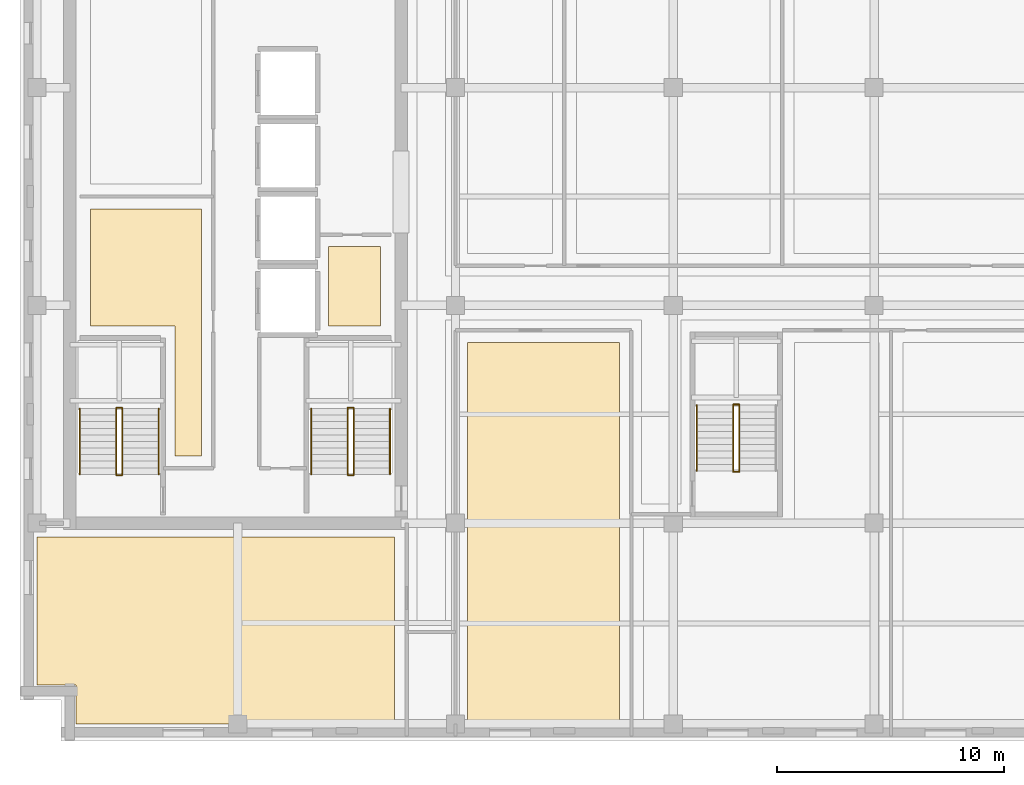
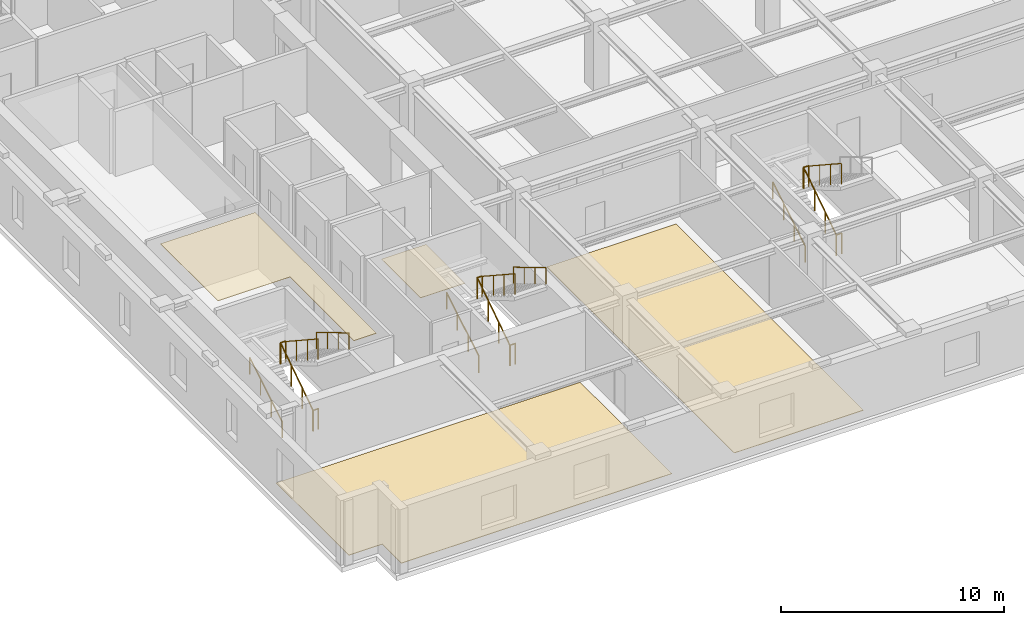
# One storey, part 7 of 10: 17 railings, 4 coverings.
"""IFC4 building model written with IfcOpenShell, lengths in metres."""

from ifc_helpers import new_model, si_unit, direction, frame, origin, origin_2d, place, context, subcontext, project, spatial, polyline, circle, outline, extrude, material, layer, layer_set, type_object, element, save


model = new_model("IFC4")

# Units and contexts
model_context = context("Model", 3, precision=1e-05, world=origin(), true_north=direction((0.0, 1.0)))
body_context = subcontext(model_context, "Body", "Model", "MODEL_VIEW")
ifc_project = project(units=[si_unit("LENGTHUNIT", "METRE"), si_unit("AREAUNIT", "SQUARE_METRE"), si_unit("VOLUMEUNIT", "CUBIC_METRE"), si_unit("PLANEANGLEUNIT", "RADIAN"), si_unit("MASSUNIT", "GRAM", prefix="KILO")], contexts=[model_context])

# Site, building, storey
site_placement = place(None, origin())
site = spatial("IfcSite", under=ifc_project, at=site_placement, CompositionType="ELEMENT")
building_placement = place(site_placement, origin())
building = spatial("IfcBuilding", under=site, at=building_placement, Name="Norrvale University Quadrangle", CompositionType="ELEMENT")
storey_placement = place(building_placement, frame((0.0, 0.0, 229.39990234375)))
storey = spatial("IfcBuildingStorey", under=building, at=storey_placement, Name="L58", CompositionType="ELEMENT", Elevation=229.39990234375)

# Coverings
ifc_material_1 = material(Name="Perforated Acoustic Mineral Ceiling")
ifc_layer_1 = layer(ifc_material_1, 0.02490234375, Name="Perforated Acoustic Mineral Ceiling")
ifc_layer_set_1 = layer_set([ifc_layer_1], Name="Perforated Acoustic Mineral Ceiling")
covering_type_1 = type_object("IfcCoveringType", Name="Covering Acoustic Ceiling 25", PredefinedType="CEILING", material=ifc_layer_set_1)
covering_1_placement = place(storey_placement, frame((0.0, 0.0, 3.51513671875)))
element("IfcCovering", 1, at=covering_1_placement, inside=storey, type_object=covering_type_1, Name="Acoustic Ceiling RM-L58-REC1", PredefinedType="CEILING", context=body_context, shape_type="SweptSolid", body=[
    extrude(outline(polyline([(3.10009765625, 18.300048828125), (3.10009765625, 23.449951171875), (8.0, 23.449951171875), (8.0, 12.550048828125), (6.830078125, 12.550048828125), (6.830078125, 18.300048828125), (3.10009765625, 18.300048828125)])), origin(), (0.0, 0.0, 1.0), 0.02490234375),
])
ifc_material_2 = material(Name="Polished Terrazzo Flooring")
ifc_layer_2 = layer(ifc_material_2, 0.02490234375, Name="Polished Terrazzo Flooring")
ifc_layer_set_2 = layer_set([ifc_layer_2], Name="Polished Terrazzo Flooring")
covering_type_2 = type_object("IfcCoveringType", Name="Covering Terrazzo Floor 30", PredefinedType="FLOORING", material=ifc_layer_set_2)
covering_2_placement = place(storey_placement, origin())
element("IfcCovering", 2, at=covering_2_placement, inside=storey, type_object=covering_type_2, Name="Terrazzo Flooring RM-L58-JAN", PredefinedType="FLOORING", context=body_context, shape_type="SweptSolid", body=[
    extrude(outline(polyline([(13.60009765625, 18.300048828125), (13.60009765625, 21.800048828125), (15.89990234375, 21.800048828125), (15.89990234375, 18.300048828125), (13.60009765625, 18.300048828125)])), origin(), (0.0, 0.0, 1.0), 0.025146484375),
])
covering_3_placement = place(storey_placement, origin())
element("IfcCovering", 3, at=covering_3_placement, inside=storey, type_object=covering_type_2, Name="Terrazzo Flooring RM-L58-SW1", PredefinedType="FLOORING", context=body_context, shape_type="SweptSolid", body=[
    extrude(outline(polyline([(0.75, 9.0), (16.5, 9.0), (16.5, 0.75), (2.469970703125, 0.75), (2.469970703125, 2.469970703125), (0.75, 2.469970703125), (0.75, 9.0)])), origin(), (0.0, 0.0, 1.0), 0.025146484375),
])
covering_4_placement = place(storey_placement, origin())
element("IfcCovering", 4, at=covering_4_placement, inside=storey, type_object=covering_type_2, Name="Terrazzo Flooring RM-L58-SE1", PredefinedType="FLOORING", context=body_context, shape_type="SweptSolid", body=[
    extrude(outline(polyline([(19.72998046875, 17.570068359375), (26.419921875, 17.570068359375), (26.419921875, 0.75), (19.72998046875, 0.75), (19.72998046875, 17.570068359375)])), origin(), (0.0, 0.0, 1.0), 0.025146484375),
])

# Railings
ifc_material_3 = material(Name="Steel 350W Painted Balustrade", Category="steel")
railing_type_1 = type_object("IfcRailingType", Name="Railing Stair Guard 1100", PredefinedType="GUARDRAIL", material=ifc_material_3)
for number, where, name in (
    (5, (4.239990234375, 11.719970703125, 0.0), "Stair Floor Well Guard ST-01 L58"),
    (6, (4.239990234375, 14.679931640625, 1.900146484375), "Stair Mid-Landing Slot Guard ST-01 L58"),
):
    element("IfcRailing", number, at=place(storey_placement, frame(where)), inside=storey, type_object=railing_type_1, Name=name, PredefinedType="GUARDRAIL", context=body_context, shape_type="SweptSolid", body=[
        extrude(circle(Radius=0.02392578125, at=origin_2d()), frame((0.0, 0.0, 1.1259765625), z_axis=(1.0, 0.0, 0.0), x_axis=(0.0, 1.0, 0.0)), (0.0, 0.0, 1.0), 0.27001953125),
        extrude(circle(Radius=0.02099609375, at=origin_2d()), origin(), (0.0, 0.0, 1.0), 1.101806640625),
        extrude(circle(Radius=0.02099609375, at=origin_2d()), frame((0.27001953125, 0.0, 0.0)), (0.0, 0.0, 1.0), 1.101806640625),
    ])
railing_1_placement = place(storey_placement, frame((4.239990234375, 11.75, 0.0)))
element("IfcRailing", 7, at=railing_1_placement, inside=storey, type_object=railing_type_1, Name="Stair Lower Flight Inner Guard ST-01 L58", PredefinedType="GUARDRAIL", context=body_context, shape_type="SweptSolid", body=[
    extrude(circle(Radius=0.02392578125, at=origin_2d()), frame((0.0, 0.0, 1.1259765625), z_axis=(0.0, 0.836433300813, 0.548068730445), x_axis=(-1.0, 0.0, 0.0)), (0.0, 0.0, 1.0), 3.467041015625),
    extrude(circle(Radius=0.02099609375, at=origin_2d()), origin(), (0.0, 0.0, 1.0), 1.101806640625),
    extrude(circle(Radius=0.02099609375, at=origin_2d()), frame((0.0, 0.966552734375, 0.63330078125)), (0.0, 0.0, 1.0), 1.101806640625),
    extrude(circle(Radius=0.02099609375, at=origin_2d()), frame((0.0, 1.933349609375, 1.266845703125)), (0.0, 0.0, 1.0), 1.101806640625),
    extrude(circle(Radius=0.02099609375, at=origin_2d()), frame((0.0, 2.89990234375, 1.900146484375)), (0.0, 0.0, 1.0), 1.101806640625),
])
railing_2_placement = place(storey_placement, frame((4.510009765625, 14.64990234375, 1.900146484375)))
element("IfcRailing", 8, at=railing_2_placement, inside=storey, type_object=railing_type_1, Name="Stair Upper Flight Inner Guard ST-01 L58", PredefinedType="GUARDRAIL", context=body_context, shape_type="SweptSolid", body=[
    extrude(circle(Radius=0.02392578125, at=origin_2d()), frame((0.0, 0.0, 1.1259765625), z_axis=(0.0, -0.836465582154, 0.548019461216), x_axis=(1.0, 0.0, 0.0)), (0.0, 0.0, 1.0), 3.466796875),
    extrude(circle(Radius=0.02099609375, at=origin_2d()), origin(), (0.0, 0.0, 1.0), 1.101806640625),
    extrude(circle(Radius=0.02099609375, at=origin_2d()), frame((0.0, -0.966552734375, 0.63330078125)), (0.0, 0.0, 1.0), 1.101806640625),
    extrude(circle(Radius=0.02099609375, at=origin_2d()), frame((0.0, -1.933349609375, 1.2666015625)), (0.0, 0.0, 1.0), 1.101806640625),
    extrude(circle(Radius=0.02099609375, at=origin_2d()), frame((0.0, -2.89990234375, 1.89990234375)), (0.0, 0.0, 1.0), 1.101806640625),
])
for number, where, name in (
    (9, (14.43994140625, 11.719970703125, 0.0), "Stair Floor Well Guard ST-03 L58"),
    (10, (14.43994140625, 14.679931640625, 1.900146484375), "Stair Mid-Landing Slot Guard ST-03 L58"),
):
    element("IfcRailing", number, at=place(storey_placement, frame(where)), inside=storey, type_object=railing_type_1, Name=name, PredefinedType="GUARDRAIL", context=body_context, shape_type="SweptSolid", body=[
        extrude(circle(Radius=0.02392578125, at=origin_2d()), frame((0.0, 0.0, 1.1259765625), z_axis=(1.0, 0.0, 0.0), x_axis=(0.0, 1.0, 0.0)), (0.0, 0.0, 1.0), 0.27001953125),
        extrude(circle(Radius=0.02099609375, at=origin_2d()), origin(), (0.0, 0.0, 1.0), 1.101806640625),
        extrude(circle(Radius=0.02099609375, at=origin_2d()), frame((0.27001953125, 0.0, 0.0)), (0.0, 0.0, 1.0), 1.101806640625),
    ])
railing_3_placement = place(storey_placement, frame((14.43994140625, 11.75, 0.0)))
element("IfcRailing", 11, at=railing_3_placement, inside=storey, type_object=railing_type_1, Name="Stair Lower Flight Inner Guard ST-03 L58", PredefinedType="GUARDRAIL", context=body_context, shape_type="SweptSolid", body=[
    extrude(circle(Radius=0.02392578125, at=origin_2d()), frame((0.0, 0.0, 1.1259765625), z_axis=(0.0, 0.836433300813, 0.548068730445), x_axis=(-1.0, 0.0, 0.0)), (0.0, 0.0, 1.0), 3.467041015625),
    extrude(circle(Radius=0.02099609375, at=origin_2d()), origin(), (0.0, 0.0, 1.0), 1.101806640625),
    extrude(circle(Radius=0.02099609375, at=origin_2d()), frame((0.0, 0.966552734375, 0.63330078125)), (0.0, 0.0, 1.0), 1.101806640625),
    extrude(circle(Radius=0.02099609375, at=origin_2d()), frame((0.0, 1.933349609375, 1.266845703125)), (0.0, 0.0, 1.0), 1.101806640625),
    extrude(circle(Radius=0.02099609375, at=origin_2d()), frame((0.0, 2.89990234375, 1.900146484375)), (0.0, 0.0, 1.0), 1.101806640625),
])
railing_4_placement = place(storey_placement, frame((14.7099609375, 14.64990234375, 1.900146484375)))
element("IfcRailing", 12, at=railing_4_placement, inside=storey, type_object=railing_type_1, Name="Stair Upper Flight Inner Guard ST-03 L58", PredefinedType="GUARDRAIL", context=body_context, shape_type="SweptSolid", body=[
    extrude(circle(Radius=0.02392578125, at=origin_2d()), frame((0.0, 0.0, 1.1259765625), z_axis=(0.0, -0.836465582154, 0.548019461216), x_axis=(1.0, 0.0, 0.0)), (0.0, 0.0, 1.0), 3.466796875),
    extrude(circle(Radius=0.02099609375, at=origin_2d()), origin(), (0.0, 0.0, 1.0), 1.101806640625),
    extrude(circle(Radius=0.02099609375, at=origin_2d()), frame((0.0, -0.966552734375, 0.63330078125)), (0.0, 0.0, 1.0), 1.101806640625),
    extrude(circle(Radius=0.02099609375, at=origin_2d()), frame((0.0, -1.933349609375, 1.2666015625)), (0.0, 0.0, 1.0), 1.101806640625),
    extrude(circle(Radius=0.02099609375, at=origin_2d()), frame((0.0, -2.89990234375, 1.89990234375)), (0.0, 0.0, 1.0), 1.101806640625),
])
for number, where, name in (
    (13, (31.43994140625, 11.8701171875, 0.0), "Stair Floor Well Guard ST-04 L58"),
    (14, (31.43994140625, 14.830078125, 1.900146484375), "Stair Mid-Landing Slot Guard ST-04 L58"),
):
    element("IfcRailing", number, at=place(storey_placement, frame(where)), inside=storey, type_object=railing_type_1, Name=name, PredefinedType="GUARDRAIL", context=body_context, shape_type="SweptSolid", body=[
        extrude(circle(Radius=0.02392578125, at=origin_2d()), frame((0.0, 0.0, 1.1259765625), z_axis=(1.0, 0.0, 0.0), x_axis=(0.0, 1.0, 0.0)), (0.0, 0.0, 1.0), 0.27001953125),
        extrude(circle(Radius=0.02099609375, at=origin_2d()), origin(), (0.0, 0.0, 1.0), 1.101806640625),
        extrude(circle(Radius=0.02099609375, at=origin_2d()), frame((0.27001953125, 0.0, 0.0)), (0.0, 0.0, 1.0), 1.101806640625),
    ])
railing_5_placement = place(storey_placement, frame((31.43994140625, 11.89990234375, 0.0)))
element("IfcRailing", 15, at=railing_5_placement, inside=storey, type_object=railing_type_1, Name="Stair Lower Flight Inner Guard ST-04 L58", PredefinedType="GUARDRAIL", context=body_context, shape_type="SweptSolid", body=[
    extrude(circle(Radius=0.02392578125, at=origin_2d()), frame((0.0, 0.0, 1.1259765625), z_axis=(0.0, 0.836454451266, 0.548036450392), x_axis=(-1.0, 0.0, 0.0)), (0.0, 0.0, 1.0), 3.46728515625),
    extrude(circle(Radius=0.02099609375, at=origin_2d()), origin(), (0.0, 0.0, 1.0), 1.101806640625),
    extrude(circle(Radius=0.02099609375, at=origin_2d()), frame((0.0, 0.966796875, 0.63330078125)), (0.0, 0.0, 1.0), 1.101806640625),
    extrude(circle(Radius=0.02099609375, at=origin_2d()), frame((0.0, 1.933349609375, 1.266845703125)), (0.0, 0.0, 1.0), 1.101806640625),
    extrude(circle(Radius=0.02099609375, at=origin_2d()), frame((0.0, 2.900146484375, 1.900146484375)), (0.0, 0.0, 1.0), 1.101806640625),
])
railing_6_placement = place(storey_placement, frame((31.7099609375, 14.800048828125, 1.900146484375)))
element("IfcRailing", 16, at=railing_6_placement, inside=storey, type_object=railing_type_1, Name="Stair Upper Flight Inner Guard ST-04 L58", PredefinedType="GUARDRAIL", context=body_context, shape_type="SweptSolid", body=[
    extrude(circle(Radius=0.02392578125, at=origin_2d()), frame((0.0, 0.0, 1.1259765625), z_axis=(0.0, -0.836486729621, 0.547987181573), x_axis=(1.0, 0.0, 0.0)), (0.0, 0.0, 1.0), 3.467041015625),
    extrude(circle(Radius=0.02099609375, at=origin_2d()), origin(), (0.0, 0.0, 1.0), 1.101806640625),
    extrude(circle(Radius=0.02099609375, at=origin_2d()), frame((0.0, -0.966796875, 0.63330078125)), (0.0, 0.0, 1.0), 1.101806640625),
    extrude(circle(Radius=0.02099609375, at=origin_2d()), frame((0.0, -1.933349609375, 1.2666015625)), (0.0, 0.0, 1.0), 1.101806640625),
    extrude(circle(Radius=0.02099609375, at=origin_2d()), frame((0.0, -2.900146484375, 1.89990234375)), (0.0, 0.0, 1.0), 1.101806640625),
])
ifc_material_4 = material(Name="Stainless Steel 316L Handrail", Category="steel")
railing_type_2 = type_object("IfcRailingType", Name="Railing Stair Handrail 920", PredefinedType="HANDRAIL", material=ifc_material_4)
railing_7_placement = place(storey_placement, frame((2.639892578125, 11.75, 0.1728515625)))
element("IfcRailing", 17, at=railing_7_placement, inside=storey, type_object=railing_type_2, Name="Stair Lower Flight Handrail ST-01 L58", PredefinedType="HANDRAIL", context=body_context, shape_type="SweptSolid", body=[
    extrude(circle(Radius=0.02392578125, at=origin_2d()), frame((0.0, 0.0, 0.89599609375), z_axis=(0.0, 0.859141464434, 0.511738159696), x_axis=(-1.0, 0.0, 0.0)), (0.0, 0.0, 1.0), 3.375244140625),
    extrude(circle(Radius=0.02099609375, at=origin_2d()), origin(), (0.0, 0.0, 1.0), 0.871826171875),
    extrude(circle(Radius=0.02099609375, at=origin_2d()), frame((0.0, 0.966552734375, 0.57568359375)), (0.0, 0.0, 1.0), 0.871826171875),
    extrude(circle(Radius=0.02099609375, at=origin_2d()), frame((0.0, 1.933349609375, 1.151611328125)), (0.0, 0.0, 1.0), 0.871826171875),
    extrude(circle(Radius=0.02099609375, at=origin_2d()), frame((0.0, 2.89990234375, 1.727294921875)), (0.0, 0.0, 1.0), 0.871826171875),
])
railing_8_placement = place(storey_placement, frame((6.110107421875, 14.64990234375, 2.07275390625)))
element("IfcRailing", 18, at=railing_8_placement, inside=storey, type_object=railing_type_2, Name="Stair Upper Flight Handrail ST-01 L58", PredefinedType="HANDRAIL", context=body_context, shape_type="SweptSolid", body=[
    extrude(circle(Radius=0.02392578125, at=origin_2d()), frame((0.0, 0.0, 0.89599609375), z_axis=(0.0, -0.859141464434, 0.511738159696), x_axis=(1.0, 0.0, 0.0)), (0.0, 0.0, 1.0), 3.375244140625),
    extrude(circle(Radius=0.02099609375, at=origin_2d()), origin(), (0.0, 0.0, 1.0), 0.871826171875),
    extrude(circle(Radius=0.02099609375, at=origin_2d()), frame((0.0, -0.966552734375, 0.57568359375)), (0.0, 0.0, 1.0), 0.871826171875),
    extrude(circle(Radius=0.02099609375, at=origin_2d()), frame((0.0, -1.933349609375, 1.151611328125)), (0.0, 0.0, 1.0), 0.871826171875),
    extrude(circle(Radius=0.02099609375, at=origin_2d()), frame((0.0, -2.89990234375, 1.727294921875)), (0.0, 0.0, 1.0), 0.871826171875),
])
railing_9_placement = place(storey_placement, frame((12.840087890625, 11.75, 0.1728515625)))
element("IfcRailing", 19, at=railing_9_placement, inside=storey, type_object=railing_type_2, Name="Stair Lower Flight Handrail ST-03 L58", PredefinedType="HANDRAIL", context=body_context, shape_type="SweptSolid", body=[
    extrude(circle(Radius=0.02392578125, at=origin_2d()), frame((0.0, 0.0, 0.89599609375), z_axis=(0.0, 0.859141464434, 0.511738159696), x_axis=(-1.0, 0.0, 0.0)), (0.0, 0.0, 1.0), 3.375244140625),
    extrude(circle(Radius=0.02099609375, at=origin_2d()), origin(), (0.0, 0.0, 1.0), 0.871826171875),
    extrude(circle(Radius=0.02099609375, at=origin_2d()), frame((0.0, 0.966552734375, 0.57568359375)), (0.0, 0.0, 1.0), 0.871826171875),
    extrude(circle(Radius=0.02099609375, at=origin_2d()), frame((0.0, 1.933349609375, 1.151611328125)), (0.0, 0.0, 1.0), 0.871826171875),
    extrude(circle(Radius=0.02099609375, at=origin_2d()), frame((0.0, 2.89990234375, 1.727294921875)), (0.0, 0.0, 1.0), 0.871826171875),
])
railing_10_placement = place(storey_placement, frame((16.31005859375, 14.64990234375, 2.07275390625)))
element("IfcRailing", 20, at=railing_10_placement, inside=storey, type_object=railing_type_2, Name="Stair Upper Flight Handrail ST-03 L58", PredefinedType="HANDRAIL", context=body_context, shape_type="SweptSolid", body=[
    extrude(circle(Radius=0.02392578125, at=origin_2d()), frame((0.0, 0.0, 0.89599609375), z_axis=(0.0, -0.859141464434, 0.511738159696), x_axis=(1.0, 0.0, 0.0)), (0.0, 0.0, 1.0), 3.375244140625),
    extrude(circle(Radius=0.02099609375, at=origin_2d()), origin(), (0.0, 0.0, 1.0), 0.871826171875),
    extrude(circle(Radius=0.02099609375, at=origin_2d()), frame((0.0, -0.966552734375, 0.57568359375)), (0.0, 0.0, 1.0), 0.871826171875),
    extrude(circle(Radius=0.02099609375, at=origin_2d()), frame((0.0, -1.933349609375, 1.151611328125)), (0.0, 0.0, 1.0), 0.871826171875),
    extrude(circle(Radius=0.02099609375, at=origin_2d()), frame((0.0, -2.89990234375, 1.727294921875)), (0.0, 0.0, 1.0), 0.871826171875),
])
railing_11_placement = place(storey_placement, frame((29.840087890625, 11.89990234375, 0.1728515625)))
element("IfcRailing", 21, at=railing_11_placement, inside=storey, type_object=railing_type_2, Name="Stair Lower Flight Handrail ST-04 L58", PredefinedType="HANDRAIL", context=body_context, shape_type="SweptSolid", body=[
    extrude(circle(Radius=0.02392578125, at=origin_2d()), frame((0.0, 0.0, 0.89599609375), z_axis=(0.0, 0.859160404282, 0.51170636083), x_axis=(-1.0, 0.0, 0.0)), (0.0, 0.0, 1.0), 3.37548828125),
    extrude(circle(Radius=0.02099609375, at=origin_2d()), origin(), (0.0, 0.0, 1.0), 0.871826171875),
    extrude(circle(Radius=0.02099609375, at=origin_2d()), frame((0.0, 0.966796875, 0.57568359375)), (0.0, 0.0, 1.0), 0.871826171875),
    extrude(circle(Radius=0.02099609375, at=origin_2d()), frame((0.0, 1.933349609375, 1.151611328125)), (0.0, 0.0, 1.0), 0.871826171875),
    extrude(circle(Radius=0.02099609375, at=origin_2d()), frame((0.0, 2.900146484375, 1.727294921875)), (0.0, 0.0, 1.0), 0.871826171875),
])

save(model, "model.ifc")
